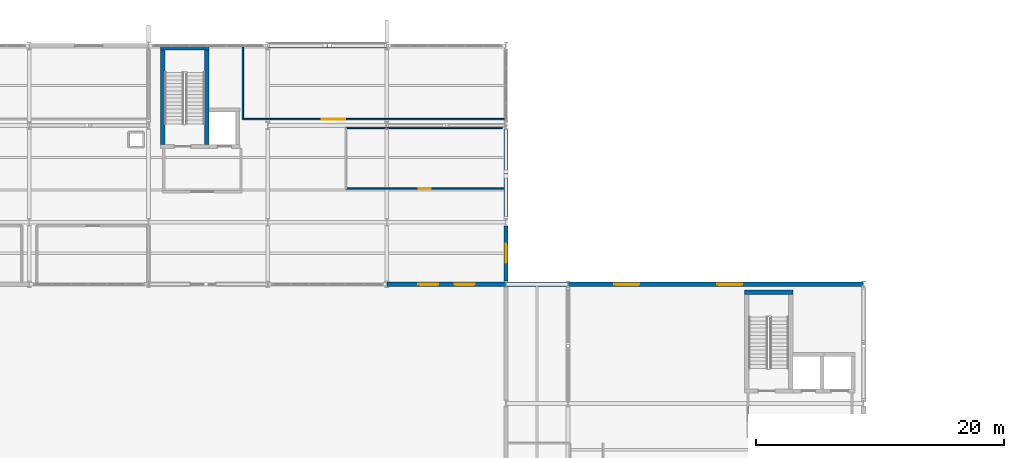
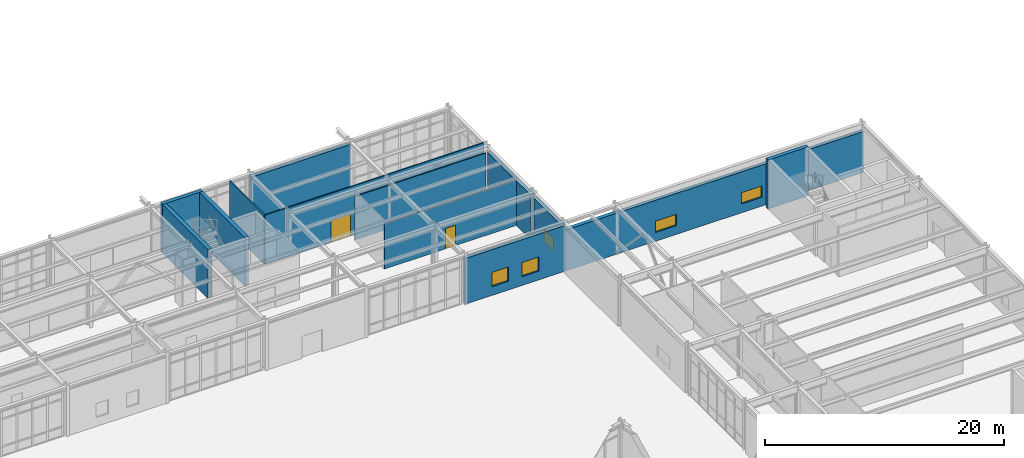
# One storey, part 94 of 109: 13 walls, 5 windows, 2 doors, 7 openings.
"""IFC4 building model written with IfcOpenShell, lengths in metres."""

import ifcopenshell
import ifcopenshell.guid

model = None  # the IFC model being written
_history = None  # IfcOwnerHistory: only IFC2X3 demands one
_inside = {}  # id of a spatial element -> (the spatial element, [elements in it])
_under = {}  # id of a project, library or spatial element -> (it, [spatial elements below it])
_declared = {}  # id of a project -> (the project, [libraries it declares])
_typed = {}  # id of a type object -> (the type object, [elements of that type])
_made_of = {}  # id of a material, layer set ... -> (it, [elements and type objects made of it])


def new_model(schema):
    """Start an empty IFC model of exactly this schema.

    Asked for "IFC4X3", IfcOpenShell would pick the latest addendum, in which some entities
    have other attributes; the version numbers below select the first issue.
    IFC2X3 requires an IfcOwnerHistory on every rooted entity: one is made here for all.
    """
    global model, _history
    if schema == "IFC4X3":
        model = ifcopenshell.file(schema_version=(4, 3, 0, 0))
    else:
        model = ifcopenshell.file(schema=schema)
    _inside.clear()
    _under.clear()
    _declared.clear()
    _typed.clear()
    _made_of.clear()
    _history = None
    if model.schema == "IFC2X3":
        org = make("IfcOrganization", Name="unknown")
        user = make(
            "IfcPersonAndOrganization",
            ThePerson=make("IfcPerson", FamilyName="unknown"),
            TheOrganization=org,
        )
        app = make(
            "IfcApplication",
            ApplicationDeveloper=org,
            Version="unknown",
            ApplicationFullName="unknown",
            ApplicationIdentifier="unknown",
        )
        _history = make(
            "IfcOwnerHistory",
            OwningUser=user,
            OwningApplication=app,
            ChangeAction="ADDED",
            CreationDate=0,
        )
    return model


def make(cls, **values):
    """One entity of the class cls with the attributes given. An attribute that is None is left unset."""
    return model.create_entity(
        cls, **{name: value for name, value in values.items() if value is not None}
    )


def rooted(cls, **values):
    """An entity with a GlobalId (a new one), such as an element, a storey or a relation."""
    return make(cls, GlobalId=ifcopenshell.guid.new(), OwnerHistory=_history, **values)


def si_unit(unit_type, name, prefix=None):
    """IfcSIUnit, for example si_unit("LENGTHUNIT", "METRE", prefix="MILLI")."""
    return make("IfcSIUnit", UnitType=unit_type, Prefix=prefix, Name=name)


def assignment(units):
    """IfcUnitAssignment: the units of a project."""
    return None if units is None else make("IfcUnitAssignment", Units=units)


def point(xyz):
    """IfcCartesianPoint."""
    return None if xyz is None else make("IfcCartesianPoint", Coordinates=xyz)


def direction(xyz):
    """IfcDirection."""
    return None if xyz is None else make("IfcDirection", DirectionRatios=xyz)


def frame(location, z_axis=None, x_axis=None):
    """IfcAxis2Placement3D, a coordinate frame: its origin and axes. An axis left out is left unset."""
    return make(
        "IfcAxis2Placement3D",
        Location=point(location),
        Axis=direction(z_axis),
        RefDirection=direction(x_axis),
    )


def frame_2d(location, x_axis=None):
    """IfcAxis2Placement2D, a coordinate frame in the plane: its origin and x axis."""
    return make(
        "IfcAxis2Placement2D", Location=point(location), RefDirection=direction(x_axis)
    )


def origin():
    """The frame at (0, 0, 0) with its axes left unset."""
    return frame((0.0, 0.0, 0.0))


def place(relative_to, where):
    """IfcLocalPlacement: puts the frame where relative to a parent placement (None: the world)."""
    return make(
        "IfcLocalPlacement", PlacementRelTo=relative_to, RelativePlacement=where
    )


def context(
    kind, dimensions, precision=None, world=None, true_north=None, identifier=None
):
    """IfcGeometricRepresentationContext, for example the 3D "Model" context."""
    return make(
        "IfcGeometricRepresentationContext",
        ContextIdentifier=identifier,
        ContextType=kind,
        CoordinateSpaceDimension=dimensions,
        Precision=precision,
        WorldCoordinateSystem=world,
        TrueNorth=true_north,
    )


def subcontext(parent, identifier, kind, view, scale=None):
    """IfcGeometricRepresentationSubContext, for example "Body" below "Model"."""
    return make(
        "IfcGeometricRepresentationSubContext",
        ContextIdentifier=identifier,
        ContextType=kind,
        ParentContext=parent,
        TargetScale=scale,
        TargetView=view,
    )


def project(units=None, contexts=None):
    """IfcProject with its units and contexts."""
    return rooted(
        "IfcProject",
        Name="project",
        RepresentationContexts=contexts,
        UnitsInContext=assignment(units),
    )


def spatial(cls, under=None, at=None, **own):
    """A site, building, storey or space (cls), placed at a placement, below another one or the project."""
    s = rooted(cls, ObjectPlacement=at, **own)
    if under is not None:
        _under.setdefault(under.id(), (under, []))[1].append(s)
    return s


def profile(cls, at=None, kind="AREA", **sizes):
    """A parametric profile (cls). Its sizes go by their IFC names, for example OverallWidth=200.0."""
    return make(cls, ProfileType=kind, Position=at, **sizes)


def rectangle(**sizes):
    """IfcRectangleProfileDef."""
    return profile("IfcRectangleProfileDef", **sizes)


def extrude(swept, where, along, depth):
    """IfcExtrudedAreaSolid: the profile swept, set in the frame where, extruded along a direction by depth."""
    return make(
        "IfcExtrudedAreaSolid",
        SweptArea=swept,
        Position=where,
        ExtrudedDirection=direction(along),
        Depth=depth,
    )


def shape(context_of_items, identifier, shape_type, items):
    """IfcShapeRepresentation: the items that make up one representation, for example the "Body"."""
    return make(
        "IfcShapeRepresentation",
        ContextOfItems=context_of_items,
        RepresentationIdentifier=identifier,
        RepresentationType=shape_type,
        Items=items,
    )


def material(Name=None, Category=None):
    """IfcMaterial."""
    return make("IfcMaterial", Name=Name, Category=Category)


def layer(
    of_material, thickness, ventilated=None, Name=None, Category=None, Priority=None
):
    """IfcMaterialLayer: one layer of a wall or slab, of a material (None: an air gap)."""
    return make(
        "IfcMaterialLayer",
        Material=of_material,
        LayerThickness=thickness,
        IsVentilated=ventilated,
        Name=Name,
        Category=Category,
        Priority=Priority,
    )


def layer_set(layers, Name=None):
    """IfcMaterialLayerSet."""
    return make("IfcMaterialLayerSet", MaterialLayers=layers, LayerSetName=Name)


def made_of(thing, what):
    """Note that an element or type object is made of a material, layer set ...; save() writes the relation."""
    if what is not None:
        _made_of.setdefault(what.id(), (what, []))[1].append(thing)
    return thing


def type_object(cls, material=None, **own):
    """A type object (cls), such as IfcWallType, which elements share."""
    return made_of(rooted(cls, **own), material)


def element(
    cls,
    number,
    at=None,
    inside=None,
    cuts=None,
    type_object=None,
    material=None,
    context=None,
    identifier="Body",
    shape_type=None,
    held_by="IfcProductDefinitionShape",
    body=None,
    shapes=None,
    **own,
):
    """One element of the class cls, such as IfcWall. Its Tag is "e" and its number.

    at: its placement. inside: the storey or other place that contains it. cuts: it is an
    opening in that element (IfcRelVoidsElement). A single representation is given by context,
    identifier, shape_type and body (its items); several are given by shapes. held_by: the class
    of the entity that holds the representations. save() writes the other relations.
    """
    e = rooted(cls, Tag="e%d" % number, ObjectPlacement=at, **own)
    if body is not None:
        shapes = [shape(context, identifier, shape_type, body)]
    if shapes is not None:
        e.Representation = make(held_by, Representations=shapes)
    if inside is not None:
        _inside.setdefault(inside.id(), (inside, []))[1].append(e)
    if cuts is not None:
        rooted(
            "IfcRelVoidsElement", RelatingBuildingElement=cuts, RelatedOpeningElement=e
        )
    if type_object is not None:
        _typed.setdefault(type_object.id(), (type_object, []))[1].append(e)
    return made_of(e, material)


def fill(opening, filler):
    """IfcRelFillsElement: the door or window that sits in an opening."""
    return rooted(
        "IfcRelFillsElement",
        RelatingOpeningElement=opening,
        RelatedBuildingElement=filler,
    )


def aggregate(whole, parts):
    """IfcRelAggregates: a whole, such as a stair, and the parts it consists of."""
    return rooted("IfcRelAggregates", RelatingObject=whole, RelatedObjects=parts)


def save(model, path):
    """Write the relations noted so far, then the file.

    IfcRelAggregates (storeys below a building ...), IfcRelContainedInSpatialStructure (elements
    in a storey), IfcRelDefinesByType, IfcRelAssociatesMaterial and IfcRelDeclares: one each for
    every whole, place, type object, material and project.
    """
    for whole, parts in _under.values():
        aggregate(whole, parts)
    for where, things in _inside.values():
        rooted(
            "IfcRelContainedInSpatialStructure",
            RelatedElements=things,
            RelatingStructure=where,
        )
    for kind, things in _typed.values():
        rooted("IfcRelDefinesByType", RelatedObjects=things, RelatingType=kind)
    for what, things in _made_of.values():
        rooted("IfcRelAssociatesMaterial", RelatedObjects=things, RelatingMaterial=what)
    for by, libraries in _declared.values():
        rooted("IfcRelDeclares", RelatingContext=by, RelatedDefinitions=libraries)
    model.write(path)


model = new_model("IFC4")

# Units and contexts
model_context = context("Model", 3, precision=1e-05, world=origin(), true_north=direction((0.0, 1.0)))
body_context = subcontext(model_context, "Body", "Model", "MODEL_VIEW")
ifc_project = project(units=[si_unit("LENGTHUNIT", "METRE"), si_unit("AREAUNIT", "SQUARE_METRE"), si_unit("VOLUMEUNIT", "CUBIC_METRE"), si_unit("PLANEANGLEUNIT", "RADIAN"), si_unit("MASSUNIT", "GRAM", prefix="KILO")], contexts=[model_context])

# Site, building, storey
site_placement = place(None, origin())
site = spatial("IfcSite", under=ifc_project, at=site_placement, CompositionType="ELEMENT")
building_placement = place(site_placement, origin())
building = spatial("IfcBuilding", under=site, at=building_placement, Name="Nordkorset Police Headquarters", CompositionType="ELEMENT")
storey_placement = place(building_placement, origin())
storey = spatial("IfcBuildingStorey", under=building, at=storey_placement, Name="L00", CompositionType="ELEMENT", Elevation=0.0)

# Walls
ifc_material_1 = material(Name="Concrete C35/45", Category="concrete")
ifc_layer_1 = layer(ifc_material_1, 0.35009765625, Name="Concrete C35/45")
ifc_layer_set_1 = layer_set([ifc_layer_1], Name="Concrete C35/45")
wall_type_1 = type_object("IfcWallType", Name="Wall_CoreShear_350", PredefinedType="SHEAR", material=ifc_layer_set_1)
wall_1_placement = place(storey_placement, frame((58.574951171875, 116.64990234375, 0.0), z_axis=(0.0, 0.0, 1.0), x_axis=(1.0, 0.0, 0.0)))
element("IfcWall", 1, at=wall_1_placement, inside=storey, type_object=wall_type_1, Name="Core K2 Stair Shaft North Shear Wall L00", PredefinedType="SHEAR", context=body_context, shape_type="SweptSolid", body=[
    extrude(rectangle(XDim=3.900146484375, YDim=0.35009765625, at=frame_2d((1.9501953125, 0.0))), origin(), (0.0, 0.0, 1.0), 5.0),
])
for number, where, z_axis, x_axis, name in (
    (2, (58.75, 108.875, 0.0), (0.0, 0.0, 1.0), (0.0, 1.0, 0.0), "Core K2 Stair Shaft West Shear Wall L00"),
    (3, (62.300048828125, 108.875, 0.0), (0.0, 0.0, 1.0), (0.0, 1.0, 0.0), "Core K2 Stair Shaft East Shear Wall L00"),
):
    element("IfcWall", number, at=place(storey_placement, frame(where, z_axis=z_axis, x_axis=x_axis)), inside=storey, type_object=wall_type_1, Name=name, PredefinedType="SHEAR", context=body_context, shape_type="SweptSolid", body=[
        extrude(rectangle(XDim=7.60009765625, YDim=0.35009765625, at=frame_2d((3.800048828125, 0.0))), origin(), (0.0, 0.0, 1.0), 5.0),
    ])
wall_2_placement = place(storey_placement, frame((105.625, 96.949951171875, 0.0), z_axis=(0.0, 0.0, 1.0), x_axis=(1.0, 0.0, 0.0)))
element("IfcWall", 4, at=wall_2_placement, inside=storey, type_object=wall_type_1, Name="Core K5 Stair Shaft North Shear Wall L00", PredefinedType="SHEAR", context=body_context, shape_type="SweptSolid", body=[
    extrude(rectangle(XDim=3.89990234375, YDim=0.35009765625, at=frame_2d((1.949951171875, 0.0))), origin(), (0.0, 0.0, 1.0), 5.0),
])
ifc_material_2 = material(Name="Precast concrete C40/50", Category="concrete")
ifc_layer_2 = layer(ifc_material_2, 0.360107421875, Name="Precast concrete C40/50")
ifc_layer_set_2 = layer_set([ifc_layer_2], Name="Precast concrete C40/50")
wall_type_2 = type_object("IfcWallType", Name="Wall_ExtPrecast_360", PredefinedType="SOLIDWALL", material=ifc_layer_set_2)
wall_3_placement = place(storey_placement, frame((67.209716796875, 116.800048828125, 0.0), z_axis=(0.0, 0.0, 1.0), x_axis=(1.0, 0.0, 0.0)))
element("IfcWall", 5, at=wall_3_placement, inside=storey, type_object=wall_type_2, Name="Exterior Insulated Precast Wall L00 V2N-4", PredefinedType="SOLIDWALL", context=body_context, shape_type="SweptSolid", body=[
    extrude(rectangle(XDim=9.58056640625, YDim=0.360107421875, at=frame_2d((4.790283203125, 0.0))), origin(), (0.0, 0.0, 1.0), 4.669921875),
])

# Wall, openings, windows
wall_4_placement = place(storey_placement, frame((76.809326171875, 97.60009765625, 0.0), z_axis=(0.0, 0.0, 1.0), x_axis=(1.0, 0.0, 0.0)))
wall_4 = element("IfcWall", 6, at=wall_4_placement, inside=storey, type_object=wall_type_2, Name="Exterior Insulated Precast Wall L00 V2S-5", PredefinedType="SOLIDWALL", context=body_context, shape_type="SweptSolid", body=[
    extrude(rectangle(XDim=9.58154296875, YDim=0.360107421875, at=frame_2d((4.790771484375, 0.0))), origin(), (0.0, 0.0, 1.0), 4.669921875),
])
opening_1_placement = place(wall_4_placement, frame((2.524169921875, 0.0, 0.89990234375)))
opening_1 = element("IfcOpeningElement", 7, at=opening_1_placement, cuts=wall_4, Name="Opening WN-37", PredefinedType="OPENING", context=body_context, shape_type="SweptSolid", body=[
    extrude(rectangle(XDim=1.60009765625, YDim=1.449951171875, at=frame_2d((0.800048828125, 0.72509765625))), frame((0.0, 0.18994140625, 0.0), z_axis=(0.0, -1.0, 0.0), x_axis=(1.0, 0.0, 0.0)), (0.0, 0.0, 1.0), 0.380126953125),
])
opening_2_placement = place(wall_4_placement, frame((5.45751953125, 0.0, 0.89990234375)))
opening_2 = element("IfcOpeningElement", 8, at=opening_2_placement, cuts=wall_4, Name="Opening WN-37", PredefinedType="OPENING", context=body_context, shape_type="SweptSolid", body=[
    extrude(rectangle(XDim=1.60009765625, YDim=1.449951171875, at=frame_2d((0.800048828125, 0.72509765625))), frame((0.0, 0.18994140625, 0.0), z_axis=(0.0, -1.0, 0.0), x_axis=(1.0, 0.0, 0.0)), (0.0, 0.0, 1.0), 0.380126953125),
])
ifc_material_3 = material(Name="Low-iron triple glazing", Category="glass")
window_type_1 = type_object("IfcWindowType", Name="Win_1600x1450", PartitioningType="SINGLE_PANEL", PredefinedType="WINDOW", material=ifc_material_3)
window_1_placement = place(opening_1_placement, origin())
window_1 = element("IfcWindow", 9, at=window_1_placement, inside=storey, type_object=window_type_1, Name="Triple-Glazed Exterior Window L00 V2S-5-1", OverallHeight=1.449951171875, OverallWidth=1.60009765625, PartitioningType="SINGLE_PANEL", PredefinedType="WINDOW", context=body_context, shape_type="SweptSolid", body=[
    extrude(rectangle(XDim=1.60009765625, YDim=1.449951171875, at=frame_2d((0.800048828125, 0.72509765625))), frame((0.0, 0.030029296875, 0.0), z_axis=(0.0, -1.0, 0.0), x_axis=(1.0, 0.0, 0.0)), (0.0, 0.0, 1.0), 0.06005859375),
])
fill(opening_1, window_1)
window_2_placement = place(opening_2_placement, origin())
window_2 = element("IfcWindow", 10, at=window_2_placement, inside=storey, type_object=window_type_1, Name="Triple-Glazed Exterior Window L00 V2S-5-2", OverallHeight=1.449951171875, OverallWidth=1.60009765625, PartitioningType="SINGLE_PANEL", PredefinedType="WINDOW", context=body_context, shape_type="SweptSolid", body=[
    extrude(rectangle(XDim=1.60009765625, YDim=1.449951171875, at=frame_2d((0.800048828125, 0.72509765625))), frame((0.0, 0.030029296875, 0.0), z_axis=(0.0, -1.0, 0.0), x_axis=(1.0, 0.0, 0.0)), (0.0, 0.0, 1.0), 0.06005859375),
])
fill(opening_2, window_2)

# Wall, opening, window
wall_5_placement = place(storey_placement, frame((86.39990234375, 97.85205078125, 0.0), z_axis=(0.0, 0.0, 1.0), x_axis=(0.0, 1.0, 0.0)))
wall_5 = element("IfcWall", 11, at=wall_5_placement, inside=storey, type_object=wall_type_2, Name="Exterior Insulated Precast Wall L00 V2E-0A", PredefinedType="SOLIDWALL", context=body_context, shape_type="SweptSolid", body=[
    extrude(rectangle(XDim=4.446044921875, YDim=0.360107421875, at=frame_2d((2.22314453125, 0.0))), origin(), (0.0, 0.0, 1.0), 4.5400390625),
])
opening_3_placement = place(wall_5_placement, frame((1.472900390625, 0.0, 0.89990234375)))
opening_3 = element("IfcOpeningElement", 12, at=opening_3_placement, cuts=wall_5, Name="Opening WN-01", PredefinedType="OPENING", context=body_context, shape_type="SweptSolid", body=[
    extrude(rectangle(XDim=1.550048828125, YDim=1.300048828125, at=frame_2d((0.77490234375, 0.64990234375))), frame((0.0, 0.18994140625, 0.0), z_axis=(0.0, -1.0, 0.0), x_axis=(1.0, 0.0, 0.0)), (0.0, 0.0, 1.0), 0.380126953125),
])
ifc_material_4 = material(Name="Low-iron triple glazing", Category="glass")
window_type_2 = type_object("IfcWindowType", Name="Win_1550x1300", PartitioningType="SINGLE_PANEL", PredefinedType="WINDOW", material=ifc_material_4)
window_3_placement = place(opening_3_placement, origin())
window_3 = element("IfcWindow", 13, at=window_3_placement, inside=storey, type_object=window_type_2, Name="Triple-Glazed Exterior Window L00 V2E-0A-1", OverallHeight=1.300048828125, OverallWidth=1.550048828125, PartitioningType="SINGLE_PANEL", PredefinedType="WINDOW", context=body_context, shape_type="SweptSolid", body=[
    extrude(rectangle(XDim=1.550048828125, YDim=1.300048828125, at=frame_2d((0.77490234375, 0.64990234375))), frame((0.0, 0.030029296875, 0.0), z_axis=(0.0, -1.0, 0.0), x_axis=(1.0, 0.0, 0.0)), (0.0, 0.0, 1.0), 0.06005859375),
])
fill(opening_3, window_3)

# Wall
wall_6_placement = place(storey_placement, frame((86.39990234375, 102.902099609375, 0.0), z_axis=(0.0, 0.0, 1.0), x_axis=(0.0, 1.0, 0.0)))
element("IfcWall", 14, at=wall_6_placement, inside=storey, type_object=wall_type_2, Name="Exterior Insulated Precast Wall L00 V2E-0B", PredefinedType="SOLIDWALL", context=body_context, shape_type="SweptSolid", body=[
    extrude(rectangle(XDim=7.19580078125, YDim=0.360107421875, at=frame_2d((3.597900390625, 0.0))), origin(), (0.0, 0.0, 1.0), 4.5400390625),
])

# Wall, openings, windows
wall_7_placement = place(storey_placement, frame((86.4091796875, 97.60009765625, 0.0), z_axis=(0.0, 0.0, 1.0), x_axis=(1.0, 0.0, 0.0)))
wall_7 = element("IfcWall", 15, at=wall_7_placement, inside=storey, type_object=wall_type_2, Name="Exterior Insulated Precast Wall L00 V5N-0", PredefinedType="SOLIDWALL", context=body_context, shape_type="SweptSolid", body=[
    extrude(rectangle(XDim=28.781494140625, YDim=0.360107421875, at=frame_2d((14.390625, 0.0))), origin(), (0.0, 0.0, 1.0), 4.179931640625),
])
opening_4_placement = place(wall_7_placement, frame((8.72412109375, 0.0, 0.89990234375)))
opening_4 = element("IfcOpeningElement", 16, at=opening_4_placement, cuts=wall_7, Name="Opening WN-30", PredefinedType="OPENING", context=body_context, shape_type="SweptSolid", body=[
    extrude(rectangle(XDim=2.0, YDim=1.14990234375, at=frame_2d((1.0, 0.574951171875))), frame((0.0, 0.18994140625, 0.0), z_axis=(0.0, -1.0, 0.0), x_axis=(1.0, 0.0, 0.0)), (0.0, 0.0, 1.0), 0.380126953125),
])
opening_5_placement = place(wall_7_placement, frame((17.007568359375, 0.0, 0.89990234375)))
opening_5 = element("IfcOpeningElement", 17, at=opening_5_placement, cuts=wall_7, Name="Opening WN-30", PredefinedType="OPENING", context=body_context, shape_type="SweptSolid", body=[
    extrude(rectangle(XDim=2.0, YDim=1.14990234375, at=frame_2d((1.0, 0.574951171875))), frame((0.0, 0.18994140625, 0.0), z_axis=(0.0, -1.0, 0.0), x_axis=(1.0, 0.0, 0.0)), (0.0, 0.0, 1.0), 0.380126953125),
])
ifc_material_5 = material(Name="Low-iron triple glazing", Category="glass")
window_type_3 = type_object("IfcWindowType", Name="Win_2000x1150", PartitioningType="SINGLE_PANEL", PredefinedType="WINDOW", material=ifc_material_5)
window_4_placement = place(opening_4_placement, origin())
window_4 = element("IfcWindow", 18, at=window_4_placement, inside=storey, type_object=window_type_3, Name="Triple-Glazed Exterior Window L00 V5N-0-1", OverallHeight=1.14990234375, OverallWidth=2.0, PartitioningType="SINGLE_PANEL", PredefinedType="WINDOW", context=body_context, shape_type="SweptSolid", body=[
    extrude(rectangle(XDim=2.0, YDim=1.14990234375, at=frame_2d((1.0, 0.574951171875))), frame((0.0, 0.030029296875, 0.0), z_axis=(0.0, -1.0, 0.0), x_axis=(1.0, 0.0, 0.0)), (0.0, 0.0, 1.0), 0.06005859375),
])
fill(opening_4, window_4)
window_5_placement = place(opening_5_placement, origin())
window_5 = element("IfcWindow", 19, at=window_5_placement, inside=storey, type_object=window_type_3, Name="Triple-Glazed Exterior Window L00 V5N-0-2", OverallHeight=1.14990234375, OverallWidth=2.0, PartitioningType="SINGLE_PANEL", PredefinedType="WINDOW", context=body_context, shape_type="SweptSolid", body=[
    extrude(rectangle(XDim=2.0, YDim=1.14990234375, at=frame_2d((1.0, 0.574951171875))), frame((0.0, 0.030029296875, 0.0), z_axis=(0.0, -1.0, 0.0), x_axis=(1.0, 0.0, 0.0)), (0.0, 0.0, 1.0), 0.06005859375),
])
fill(opening_5, window_5)

# Wall, opening, door
ifc_material_6 = material(Name="Gypsum board", Category="gypsum")
ifc_layer_3 = layer(ifc_material_6, 0.1201171875, Name="Gypsum board")
ifc_layer_set_3 = layer_set([ifc_layer_3], Name="Gypsum board")
wall_type_3 = type_object("IfcWallType", Name="Wall_Part_120", PredefinedType="PARTITIONING", material=ifc_layer_set_3)
wall_8_placement = place(storey_placement, frame((65.199951171875, 110.89990234375, 0.0), z_axis=(0.0, 0.0, 1.0), x_axis=(1.0, 0.0, 0.0)))
wall_8 = element("IfcWall", 20, at=wall_8_placement, inside=storey, type_object=wall_type_3, Name="Interior Partition Wall Witness and Victim Care Suite", PredefinedType="PARTITIONING", context=body_context, shape_type="SweptSolid", body=[
    extrude(rectangle(XDim=21.114990234375, YDim=0.1201171875, at=frame_2d((10.5576171875, 0.0))), origin(), (0.0, 0.0, 1.0), 5.0),
])
opening_6_placement = place(wall_8_placement, frame((6.367431640625, 0.0, 0.0)))
opening_6 = element("IfcOpeningElement", 21, at=opening_6_placement, cuts=wall_8, Name="Opening DR-05", PredefinedType="OPENING", context=body_context, shape_type="SweptSolid", body=[
    extrude(rectangle(XDim=1.8798828125, YDim=2.25, at=frame_2d((0.93994140625, 1.125))), frame((0.0, 0.070068359375, 0.0), z_axis=(0.0, -1.0, 0.0), x_axis=(1.0, 0.0, 0.0)), (0.0, 0.0, 1.0), 0.14013671875),
])
ifc_material_7 = material(Name="Aluminium alloy AW-6060", Category="aluminium")
door_type_1 = type_object("IfcDoorType", Name="Door_HallDouble_1880x2250", OperationType="DOUBLE_DOOR_SINGLE_SWING", PredefinedType="DOOR", material=ifc_material_7)
door_1_placement = place(opening_6_placement, frame((1.8798828125, 0.0, 0.0), z_axis=(0.0, 0.0, 1.0), x_axis=(-1.0, 0.0, 0.0)))
door_1 = element("IfcDoor", 22, at=door_1_placement, inside=storey, type_object=door_type_1, Name="Interior Door Witness and Victim Care Suite", OperationType="DOUBLE_DOOR_SINGLE_SWING", OverallHeight=2.25, OverallWidth=1.8798828125, PredefinedType="DOOR", context=body_context, shape_type="SweptSolid", body=[
    extrude(rectangle(XDim=1.8798828125, YDim=2.25, at=frame_2d((0.93994140625, 1.125))), frame((0.0, 0.02490234375, 0.0), z_axis=(0.0, -1.0, 0.0), x_axis=(1.0, 0.0, 0.0)), (0.0, 0.0, 1.0), 0.050048828125),
])
fill(opening_6, door_1)

# Wall
wall_9_placement = place(storey_placement, frame((65.199951171875, 116.715087890625, 0.0), z_axis=(0.0, 0.0, 1.0), x_axis=(0.0, -1.0, 0.0)))
element("IfcWall", 23, at=wall_9_placement, inside=storey, type_object=wall_type_3, Name="Interior Partition Wall Witness and Victim Care Suite", PredefinedType="PARTITIONING", context=body_context, shape_type="SweptSolid", body=[
    extrude(rectangle(XDim=5.815185546875, YDim=0.1201171875, at=frame_2d((2.90771484375, 0.0))), origin(), (0.0, 0.0, 1.0), 5.0),
])

# Wall, opening, door
wall_10_placement = place(storey_placement, frame((73.5, 105.300048828125, 0.0), z_axis=(0.0, 0.0, 1.0), x_axis=(1.0, 0.0, 0.0)))
wall_10 = element("IfcWall", 24, at=wall_10_placement, inside=storey, type_object=wall_type_3, Name="Interior Partition Wall Visitor Cycle Store and Locker Room", PredefinedType="PARTITIONING", context=body_context, shape_type="SweptSolid", body=[
    extrude(rectangle(XDim=12.72509765625, YDim=0.1201171875, at=frame_2d((6.362548828125, 0.0))), origin(), (0.0, 0.0, 1.0), 4.6201171875),
])
opening_7_placement = place(wall_10_placement, frame((5.882568359375, 0.0, 0.0)))
opening_7 = element("IfcOpeningElement", 25, at=opening_7_placement, cuts=wall_10, Name="Opening DR-08", PredefinedType="OPENING", context=body_context, shape_type="SweptSolid", body=[
    extrude(rectangle(XDim=0.9599609375, YDim=2.080078125, at=frame_2d((0.47998046875, 1.0400390625))), frame((0.0, 0.070068359375, 0.0), z_axis=(0.0, -1.0, 0.0), x_axis=(1.0, 0.0, 0.0)), (0.0, 0.0, 1.0), 0.14013671875),
])
ifc_material_8 = material(Name="Glulam GL30c", Category="wood")
door_type_2 = type_object("IfcDoorType", Name="Door_Welfare_960x2080", OperationType="NOTDEFINED", PredefinedType="DOOR", material=ifc_material_8)
door_2_placement = place(opening_7_placement, origin())
door_2 = element("IfcDoor", 26, at=door_2_placement, inside=storey, type_object=door_type_2, Name="Interior Door Visitor Cycle Store and Locker Room", OperationType="SINGLE_SWING_LEFT", OverallHeight=2.080078125, OverallWidth=0.9599609375, PredefinedType="DOOR", context=body_context, shape_type="SweptSolid", body=[
    extrude(rectangle(XDim=0.9599609375, YDim=2.080078125, at=frame_2d((0.47998046875, 1.0400390625))), frame((0.0, 0.02490234375, 0.0), z_axis=(0.0, -1.0, 0.0), x_axis=(1.0, 0.0, 0.0)), (0.0, 0.0, 1.0), 0.050048828125),
])
fill(opening_7, door_2)

# Wall
wall_11_placement = place(storey_placement, frame((86.10009765625, 110.199951171875, 0.0), z_axis=(0.0, 0.0, 1.0), x_axis=(-1.0, 0.0, 0.0)))
element("IfcWall", 27, at=wall_11_placement, inside=storey, type_object=wall_type_3, Name="Interior Partition Wall Visitor Cycle Store and Locker Room", PredefinedType="PARTITIONING", context=body_context, shape_type="SweptSolid", body=[
    extrude(rectangle(XDim=12.60009765625, YDim=0.1201171875, at=frame_2d((6.300048828125, 0.0))), origin(), (0.0, 0.0, 1.0), 4.43994140625),
])

save(model, "model.ifc")
